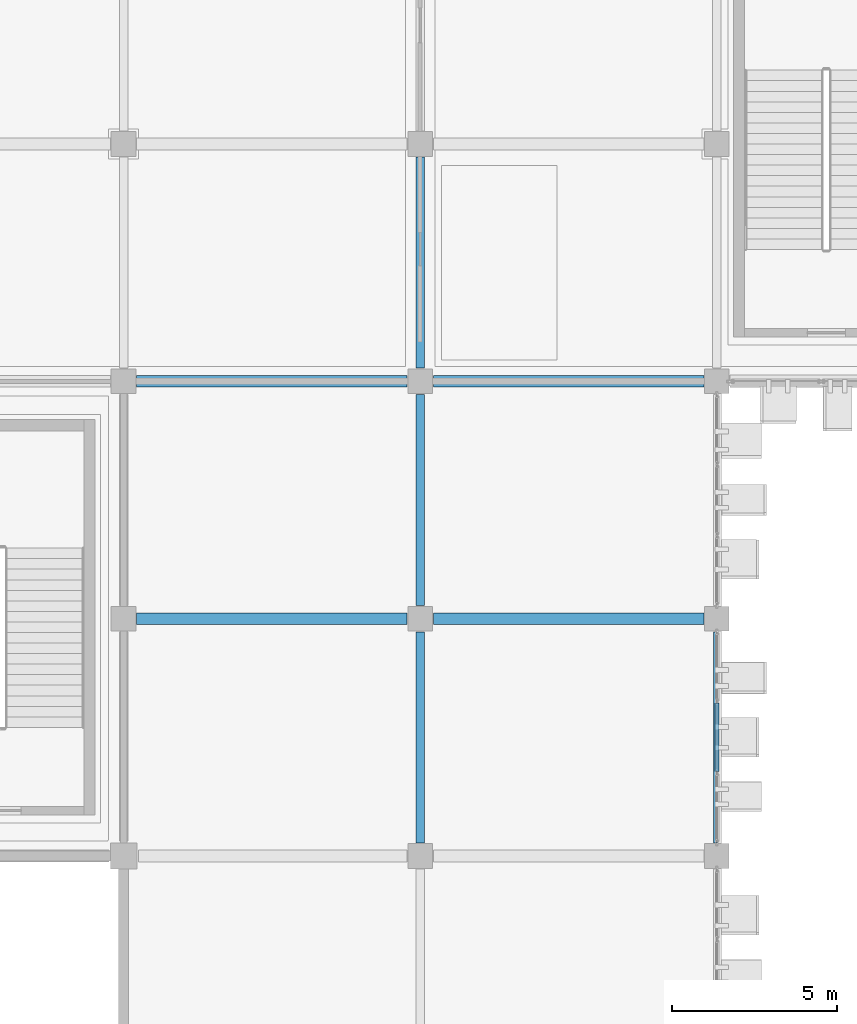
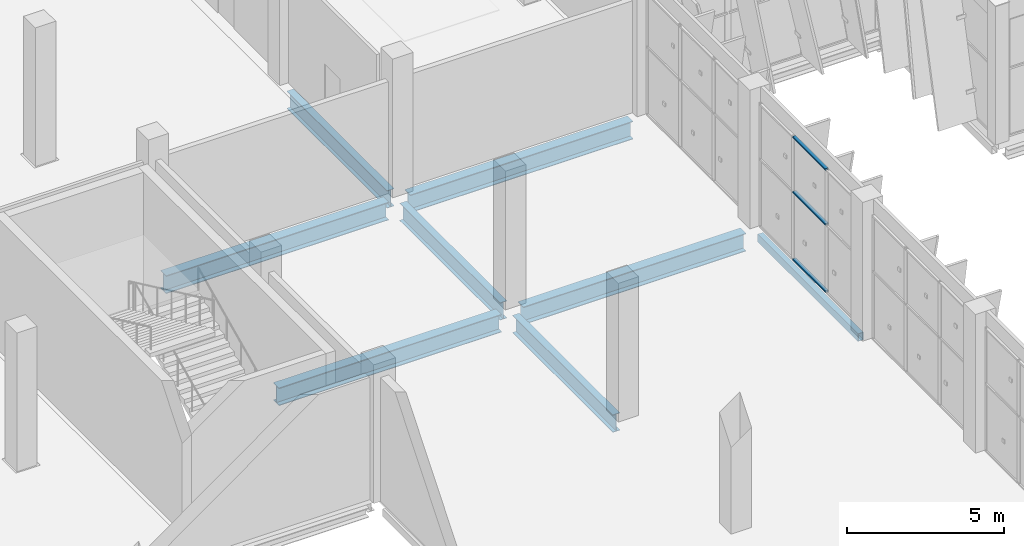
# One storey, part 75 of 189: 8 beams, 3 members, 1 element without a shape of its own.
"""IFC4 building model written with IfcOpenShell, lengths in metres."""

from ifc_helpers import new_model, si_unit, direction, frame, origin, origin_2d, place, context, subcontext, project, spatial, hollow_rectangle, i_section, extrude, material, layer, layer_set, material_profile, profile_set, type_object, element, aggregate, save


model = new_model("IFC4")

# Units and contexts
model_context = context("Model", 3, precision=1e-05, world=origin(), true_north=direction((0.0, 1.0)))
body_context = subcontext(model_context, "Body", "Model", "MODEL_VIEW")
ifc_project = project(units=[si_unit("LENGTHUNIT", "METRE"), si_unit("AREAUNIT", "SQUARE_METRE"), si_unit("VOLUMEUNIT", "CUBIC_METRE"), si_unit("PLANEANGLEUNIT", "RADIAN"), si_unit("MASSUNIT", "GRAM", prefix="KILO")], contexts=[model_context])

# Site, building, storey
site_placement = place(None, origin())
site = spatial("IfcSite", under=ifc_project, at=site_placement, CompositionType="ELEMENT")
building_placement = place(site_placement, origin())
building = spatial("IfcBuilding", under=site, at=building_placement, Name="Celestram Park Convention Centre", CompositionType="ELEMENT")
storey_placement = place(building_placement, frame((0.0, 0.0, 5.39990234375)))
storey = spatial("IfcBuildingStorey", under=building, at=storey_placement, Name="L01", CompositionType="ELEMENT", Elevation=5.39990234375)

# Curtain wall, members
ifc_material_1 = material(Name="Anodised Aluminium Alloy 6063-T6", Category="aluminium")
ifc_layer = layer(ifc_material_1, 0.179931640625)
ifc_layer_set = layer_set([ifc_layer], Name="Anodised Aluminium Alloy 6063-T6")
curtain_wall_type = type_object("IfcCurtainWallType", Name="ARC-CW-645X482", PredefinedType="NOTDEFINED", material=ifc_layer_set)
curtain_wall_placement = place(storey_placement, origin())
curtain_wall = element("IfcCurtainWall", 1, at=curtain_wall_placement, inside=storey, type_object=curtain_wall_type, Name="Unitised curtain wall CU-L01-087", PredefinedType="NOTDEFINED")
ifc_material_profile_1 = material_profile(ifc_material_1, hollow_rectangle(XDim=0.1201171875, YDim=0.06005859375, WallThickness=0.0029296875, at=origin_2d()), Name="ALU120X60X3")
ifc_profile_set_1 = profile_set([ifc_material_profile_1], Name="Anodised Aluminium Alloy 6063-T6")
member_type = type_object("IfcMemberType", Name="ARC-CWT-120", PredefinedType="USERDEFINED", material=ifc_profile_set_1)
member_1_placement = place(storey_placement, frame((144.0, 112.64306640625, 0.030029296875), z_axis=(0.0, -1.0, 0.0), x_axis=(1.0, 0.0, 0.0)))
member_1 = element("IfcMember", 2, at=member_1_placement, type_object=member_type, Name="CW-64X48 transom 2.1", ObjectType="TRANSOM", PredefinedType="USERDEFINED", context=body_context, shape_type="SweptSolid", body=[
    extrude(hollow_rectangle(XDim=0.1201171875, YDim=0.06005859375, WallThickness=0.0029296875, at=origin_2d()), origin(), (0.0, 0.0, 1.0), 2.086181640625),
])
member_2_placement = place(storey_placement, frame((144.0, 112.64306640625, 2.650146484375), z_axis=(0.0, -1.0, 0.0), x_axis=(1.0, 0.0, 0.0)))
member_2 = element("IfcMember", 3, at=member_2_placement, type_object=member_type, Name="CW-64X48 transom 2.2", ObjectType="TRANSOM", PredefinedType="USERDEFINED", context=body_context, shape_type="SweptSolid", body=[
    extrude(hollow_rectangle(XDim=0.1201171875, YDim=0.06005859375, WallThickness=0.0029296875, at=origin_2d()), origin(), (0.0, 0.0, 1.0), 2.086181640625),
])
member_3_placement = place(storey_placement, frame((144.0, 112.64306640625, 4.7900390625), z_axis=(0.0, -1.0, 0.0), x_axis=(1.0, 0.0, 0.0)))
member_3 = element("IfcMember", 4, at=member_3_placement, type_object=member_type, Name="CW-64X48 transom 2.3", ObjectType="TRANSOM", PredefinedType="USERDEFINED", context=body_context, shape_type="SweptSolid", body=[
    extrude(hollow_rectangle(XDim=0.1201171875, YDim=0.06005859375, WallThickness=0.0029296875, at=origin_2d()), origin(), (0.0, 0.0, 1.0), 2.086181640625),
])
aggregate(curtain_wall, [member_1, member_2, member_3])

# Beams
ifc_material_2 = material(Name="Steel ASTM A992 Grade 50", Category="steel")
ifc_material_profile_2 = material_profile(ifc_material_2, i_section(OverallWidth=0.35595703125, OverallDepth=0.696044921875, WebThickness=0.015380859375, FlangeThickness=0.02490234375, at=origin_2d()), Name="W27X146")
ifc_profile_set_2 = profile_set([ifc_material_profile_2], Name="Steel ASTM A992 Grade 50")
beam_type_1 = type_object("IfcBeamType", Name="STR-BM-W27X146", PredefinedType="BEAM", material=ifc_profile_set_2)
for number, where, z_axis, x_axis, name in (
    (5, (126.39794921875, 115.199951171875, -0.6279296875), (1.0, 0.0, 0.0), (0.0, 1.0, 0.0), "Primary X-girder BG-L01-0273"),
    (6, (126.39794921875, 122.39990234375, -0.6279296875), (1.0, 0.0, 0.0), (0.0, 1.0, 0.0), "Primary X-girder BG-L01-0275"),
    (7, (135.39794921875, 115.199951171875, -0.6279296875), (1.0, 0.0, 0.0), (0.0, 1.0, 0.0), "Primary X-girder BG-L01-0312"),
    (8, (135.39794921875, 122.39990234375, -0.6279296875), (1.0, 0.0, 0.0), (0.0, 1.0, 0.0), "Primary X-girder BG-L01-0314"),
):
    element("IfcBeam", number, at=place(storey_placement, frame(where, z_axis=z_axis, x_axis=x_axis)), inside=storey, type_object=beam_type_1, Name=name, PredefinedType="BEAM", context=body_context, shape_type="SweptSolid", body=[
        extrude(i_section(OverallWidth=0.35595703125, OverallDepth=0.696044921875, WebThickness=0.015380859375, FlangeThickness=0.02490234375, at=origin_2d()), origin(), (0.0, 0.0, 1.0), 8.2041015625),
    ])
ifc_material_profile_3 = material_profile(ifc_material_2, i_section(OverallWidth=0.25390625, OverallDepth=0.68310546875, WebThickness=0.012451171875, FlangeThickness=0.01904296875, at=origin_2d()), Name="W27X94")
ifc_profile_set_3 = profile_set([ifc_material_profile_3], Name="Steel ASTM A992 Grade 50")
beam_type_2 = type_object("IfcBeamType", Name="STR-BM-W27X94", PredefinedType="BEAM", material=ifc_profile_set_3)
for number, where, z_axis, x_axis, name in (
    (9, (135.0, 108.39794921875, -0.621337890625), (0.0, 1.0, 0.0), (-1.0, 0.0, 0.0), "Primary Y-girder BG-L01-0311"),
    (10, (135.0, 115.597900390625, -0.621337890625), (0.0, 1.0, 0.0), (-1.0, 0.0, 0.0), "Primary Y-girder BG-L01-0313"),
):
    element("IfcBeam", number, at=place(storey_placement, frame(where, z_axis=z_axis, x_axis=x_axis)), inside=storey, type_object=beam_type_2, Name=name, PredefinedType="BEAM", context=body_context, shape_type="SweptSolid", body=[
        extrude(i_section(OverallWidth=0.25390625, OverallDepth=0.68310546875, WebThickness=0.012451171875, FlangeThickness=0.01904296875, at=origin_2d()), origin(), (0.0, 0.0, 1.0), 6.404052734375),
    ])
beam_1_placement = place(storey_placement, frame((135.0, 122.798095703125, -0.621337890625), z_axis=(0.0, 1.0, 0.0), x_axis=(-1.0, 0.0, 0.0)))
element("IfcBeam", 11, at=beam_1_placement, inside=storey, type_object=beam_type_2, Name="Primary Y-girder BG-L01-0315", PredefinedType="BEAM", context=body_context, shape_type="SweptSolid", body=[
    extrude(i_section(OverallWidth=0.25390625, OverallDepth=0.68310546875, WebThickness=0.012451171875, FlangeThickness=0.01904296875, at=origin_2d()), origin(), (0.0, 0.0, 1.0), 6.40380859375),
])
ifc_material_3 = material(Name="Steel ASTM A500 Grade C", Category="steel")
ifc_material_profile_4 = material_profile(ifc_material_3, hollow_rectangle(XDim=0.199951171875, YDim=0.300048828125, WallThickness=0.011962890625, at=origin_2d()), Name="HSS300X200X12")
ifc_profile_set_4 = profile_set([ifc_material_profile_4], Name="Steel ASTM A500 Grade C")
beam_type_3 = type_object("IfcBeamType", Name="STR-SPN-HSS300X200", PredefinedType="SPANDREL", material=ifc_profile_set_4)
beam_2_placement = place(storey_placement, frame((144.0, 108.39794921875, -0.429931640625), z_axis=(0.0, 1.0, 0.0), x_axis=(-1.0, 0.0, 0.0)))
element("IfcBeam", 12, at=beam_2_placement, inside=storey, type_object=beam_type_3, Name="Primary Y-girder BG-L01-0345", PredefinedType="SPANDREL", context=body_context, shape_type="SweptSolid", body=[
    extrude(hollow_rectangle(XDim=0.199951171875, YDim=0.300048828125, WallThickness=0.011962890625, at=origin_2d()), origin(), (0.0, 0.0, 1.0), 6.404052734375),
])

save(model, "model.ifc")
